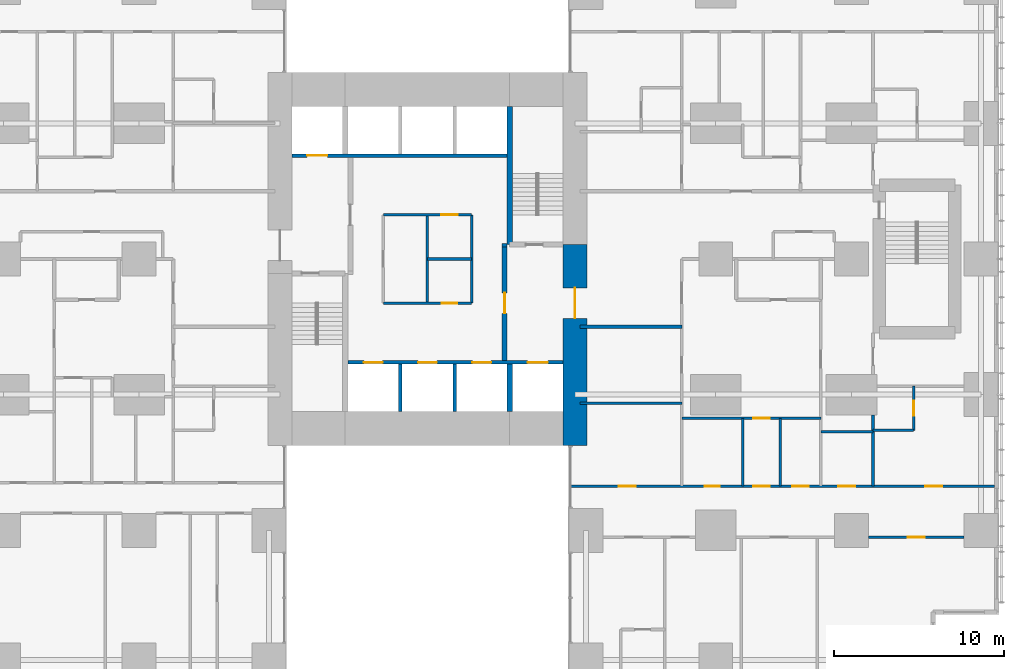
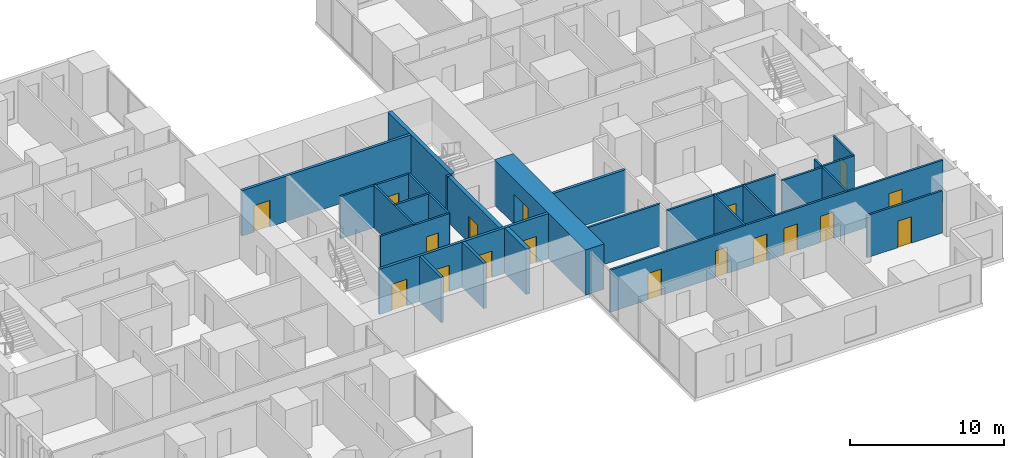
# One storey, part 15 of 20: 25 walls, 18 doors, 18 openings.
"""IFC4 building model written with IfcOpenShell, lengths in metres."""

from ifc_helpers import new_model, si_unit, direction, frame, frame_2d, origin, place, context, subcontext, project, spatial, rectangle, extrude, material, layer, layer_set, type_object, element, fill, save


model = new_model("IFC4")

# Units and contexts
model_context = context("Model", 3, precision=1e-05, world=origin(), true_north=direction((0.0, 1.0)))
body_context = subcontext(model_context, "Body", "Model", "MODEL_VIEW")
ifc_project = project(units=[si_unit("LENGTHUNIT", "METRE"), si_unit("AREAUNIT", "SQUARE_METRE"), si_unit("VOLUMEUNIT", "CUBIC_METRE"), si_unit("PLANEANGLEUNIT", "RADIAN"), si_unit("MASSUNIT", "GRAM", prefix="KILO")], contexts=[model_context])

# Site, building, storey
site_placement = place(None, origin())
site = spatial("IfcSite", under=ifc_project, at=site_placement, CompositionType="ELEMENT")
building_placement = place(site_placement, origin())
building = spatial("IfcBuilding", under=site, at=building_placement, Name="Cleftline Residences", CompositionType="ELEMENT")
storey_placement = place(building_placement, frame((0.0, 0.0, 103.39990234375)))
storey = spatial("IfcBuildingStorey", under=building, at=storey_placement, Name="L26", CompositionType="ELEMENT", Elevation=103.39990234375)

# Wall, opening, door
ifc_material_1 = material(Name="Concrete B70", Category="concrete")
ifc_layer_1 = layer(ifc_material_1, 1.39990234375)
ifc_layer_set_1 = layer_set([ifc_layer_1], Name="CORE WALL 1400")
wall_type_1 = type_object("IfcWallType", Name="CORE WALL 1400", PredefinedType="SHEAR", material=ifc_layer_set_1)
wall_1_placement = place(storey_placement, frame((41.699951171875, 13.0, 0.0), z_axis=(0.0, 0.0, 1.0), x_axis=(0.0, 1.0, 0.0)))
wall_1 = element("IfcWall", 1, at=wall_1_placement, inside=storey, type_object=wall_type_1, Name="Core wall E", PredefinedType="SHEAR", context=body_context, shape_type="SweptSolid", body=[
    extrude(rectangle(XDim=11.85009765625, YDim=1.39990234375, at=frame_2d((5.925048828125, 0.0))), origin(), (0.0, 0.0, 1.0), 3.60009765625),
])
opening_1_placement = place(wall_1_placement, frame((7.5, 0.0, 0.0)))
opening_1 = element("IfcOpeningElement", 2, at=opening_1_placement, cuts=wall_1, Name="Opening D7", PredefinedType="OPENING", context=body_context, shape_type="SweptSolid", body=[
    extrude(rectangle(XDim=1.800048828125, YDim=2.39990234375, at=frame_2d((0.89990234375, 1.199951171875))), frame((0.0, 0.7099609375, 0.0), z_axis=(0.0, -1.0, 0.0), x_axis=(1.0, 0.0, 0.0)), (0.0, 0.0, 1.0), 1.419921875),
])
ifc_material_2 = material(Name="Steel", Category="steel")
door_type_1 = type_object("IfcDoorType", Name="WING DOOR 1800X2400", OperationType="DOUBLE_DOOR_DOUBLE_SWING", PredefinedType="DOOR", material=ifc_material_2)
door_1_placement = place(opening_1_placement, origin())
door_1 = element("IfcDoor", 3, at=door_1_placement, inside=storey, type_object=door_type_1, Name="East wing door", OperationType="DOUBLE_DOOR_DOUBLE_SWING", OverallHeight=2.39990234375, OverallWidth=1.800048828125, PredefinedType="DOOR", context=body_context, shape_type="SweptSolid", body=[
    extrude(rectangle(XDim=1.800048828125, YDim=2.39990234375, at=frame_2d((0.89990234375, 1.199951171875))), frame((0.0, 0.02490234375, 0.0), z_axis=(0.0, -1.0, 0.0), x_axis=(1.0, 0.0, 0.0)), (0.0, 0.0, 1.0), 0.050048828125),
])
fill(opening_1, door_1)

# Walls
ifc_material_3 = material(Name="Concrete B70", Category="concrete")
ifc_layer_2 = layer(ifc_material_3, 0.300048828125)
ifc_layer_set_2 = layer_set([ifc_layer_2], Name="CORE WALL 300")
wall_type_2 = type_object("IfcWallType", Name="CORE WALL 300", PredefinedType="SHEAR", material=ifc_layer_set_2)
wall_2_placement = place(storey_placement, frame((37.85009765625, 24.85009765625, 0.0), z_axis=(0.0, 0.0, 1.0), x_axis=(0.0, 1.0, 0.0)))
element("IfcWall", 4, at=wall_2_placement, inside=storey, type_object=wall_type_2, Name="Core wall SB-W", PredefinedType="SHEAR", context=body_context, shape_type="SweptSolid", body=[
    extrude(rectangle(XDim=8.14990234375, YDim=0.300048828125, at=frame_2d((4.074951171875, 0.0))), origin(), (0.0, 0.0, 1.0), 3.60009765625),
])
wall_3_placement = place(storey_placement, frame((37.85009765625, 15.0, 0.0), z_axis=(0.0, 0.0, 1.0), x_axis=(0.0, 1.0, 0.0)))
element("IfcWall", 5, at=wall_3_placement, inside=storey, type_object=wall_type_2, Name="Lift shaft wall", PredefinedType="SHEAR", context=body_context, shape_type="SweptSolid", body=[
    extrude(rectangle(XDim=2.800048828125, YDim=0.300048828125, at=frame_2d((1.39990234375, 0.0))), origin(), (0.0, 0.0, 1.0), 3.60009765625),
])
ifc_material_4 = material(Name="Concrete blockwork, fire rated", Category="masonry")
ifc_layer_3 = layer(ifc_material_4, 0.199951171875)
ifc_layer_set_3 = layer_set([ifc_layer_3], Name="FIRE WALL 200")
wall_type_3 = type_object("IfcWallType", Name="FIRE WALL 200", PredefinedType="PARTITIONING", material=ifc_layer_set_3)
wall_4_placement = place(storey_placement, frame((42.0, 20.0, 0.0), z_axis=(0.0, 0.0, 1.0), x_axis=(1.0, 0.0, 0.0)))
element("IfcWall", 6, at=wall_4_placement, inside=storey, type_object=wall_type_3, Name="Fire separating wall", PredefinedType="PARTITIONING", context=body_context, shape_type="SweptSolid", body=[
    extrude(rectangle(XDim=6.0, YDim=0.199951171875, at=frame_2d((3.0, 0.0))), origin(), (0.0, 0.0, 1.0), 3.35009765625),
])
wall_5_placement = place(storey_placement, frame((37.39990234375, 24.800048828125, 0.0), z_axis=(0.0, 0.0, 1.0), x_axis=(1.0, 0.0, 0.0)))
element("IfcWall", 7, at=wall_5_placement, inside=storey, type_object=wall_type_3, Name="Fire separating wall", PredefinedType="PARTITIONING", context=body_context, shape_type="SweptSolid", body=[
    extrude(rectangle(XDim=0.300048828125, YDim=0.199951171875, at=frame_2d((0.14990234375, 0.0))), origin(), (0.0, 0.0, 1.0), 3.60009765625),
])

# Wall, opening, door
ifc_material_5 = material(Name="Gypsum board on steel studs", Category="steel")
ifc_layer_4 = layer(ifc_material_5, 0.14990234375)
ifc_layer_set_4 = layer_set([ifc_layer_4], Name="PARTITION 150")
wall_type_4 = type_object("IfcWallType", Name="PARTITION 150", PredefinedType="PARTITIONING", material=ifc_layer_set_4)
wall_6_placement = place(storey_placement, frame((59.0, 7.60009765625, 0.0), z_axis=(0.0, 0.0, 1.0), x_axis=(1.0, 0.0, 0.0)))
wall_6 = element("IfcWall", 8, at=wall_6_placement, inside=storey, type_object=wall_type_4, Name="Partition", PredefinedType="PARTITIONING", context=body_context, shape_type="SweptSolid", body=[
    extrude(rectangle(XDim=5.64990234375, YDim=0.14990234375, at=frame_2d((2.824951171875, 0.0))), origin(), (0.0, 0.0, 1.0), 3.35009765625),
])
opening_2_placement = place(wall_6_placement, frame((2.324951171875, 0.0, 0.0)))
opening_2 = element("IfcOpeningElement", 9, at=opening_2_placement, cuts=wall_6, Name="Opening D2", PredefinedType="OPENING", context=body_context, shape_type="SweptSolid", body=[
    extrude(rectangle(XDim=1.0, YDim=2.10009765625, at=frame_2d((0.5, 1.050048828125))), frame((0.0, 0.0849609375, 0.0), z_axis=(0.0, -1.0, 0.0), x_axis=(1.0, 0.0, 0.0)), (0.0, 0.0, 1.0), 0.169921875),
])
ifc_material_6 = material(Name="Timber veneer on solid core", Category="wood")
door_type_2 = type_object("IfcDoorType", Name="DOOR 1000X2100", OperationType="SINGLE_SWING_LEFT", PredefinedType="DOOR", material=ifc_material_6)
door_2_placement = place(opening_2_placement, origin())
door_2 = element("IfcDoor", 10, at=door_2_placement, inside=storey, type_object=door_type_2, Name="Door to sea-view lounge", OperationType="SINGLE_SWING_LEFT", OverallHeight=2.10009765625, OverallWidth=1.0, PredefinedType="DOOR", context=body_context, shape_type="SweptSolid", body=[
    extrude(rectangle(XDim=1.0, YDim=2.10009765625, at=frame_2d((0.5, 1.050048828125))), frame((0.0, 0.02490234375, 0.0), z_axis=(0.0, -1.0, 0.0), x_axis=(1.0, 0.0, 0.0)), (0.0, 0.0, 1.0), 0.050048828125),
])
fill(opening_2, door_2)

# Wall, openings, doors
wall_7_placement = place(storey_placement, frame((41.43896484375, 10.60009765625, 0.0), z_axis=(0.0, 0.0, 1.0), x_axis=(1.0, 0.0, 0.0)))
wall_7 = element("IfcWall", 11, at=wall_7_placement, inside=storey, type_object=wall_type_4, Name="Partition", PredefinedType="PARTITIONING", context=body_context, shape_type="SweptSolid", body=[
    extrude(rectangle(XDim=25.010986328125, YDim=0.14990234375, at=frame_2d((12.50537109375, 0.0))), origin(), (0.0, 0.0, 1.0), 3.35009765625),
])
opening_3_placement = place(wall_7_placement, frame((10.760986328125, 0.0, 0.0)))
opening_3 = element("IfcOpeningElement", 12, at=opening_3_placement, cuts=wall_7, Name="Opening D2", PredefinedType="OPENING", context=body_context, shape_type="SweptSolid", body=[
    extrude(rectangle(XDim=1.0, YDim=2.10009765625, at=frame_2d((0.5, 1.050048828125))), frame((0.0, 0.0849609375, 0.0), z_axis=(0.0, -1.0, 0.0), x_axis=(1.0, 0.0, 0.0)), (0.0, 0.0, 1.0), 0.169921875),
])
opening_4_placement = place(wall_7_placement, frame((20.923583984375, 0.0, 0.0)))
opening_4 = element("IfcOpeningElement", 13, at=opening_4_placement, cuts=wall_7, Name="Opening D2", PredefinedType="OPENING", context=body_context, shape_type="SweptSolid", body=[
    extrude(rectangle(XDim=1.0, YDim=2.10009765625, at=frame_2d((0.5, 1.050048828125))), frame((0.0, 0.0849609375, 0.0), z_axis=(0.0, -1.0, 0.0), x_axis=(1.0, 0.0, 0.0)), (0.0, 0.0, 1.0), 0.169921875),
])
opening_5_placement = place(wall_7_placement, frame((15.798583984375, 0.0, 0.0)))
opening_5 = element("IfcOpeningElement", 14, at=opening_5_placement, cuts=wall_7, Name="Opening D2", PredefinedType="OPENING", context=body_context, shape_type="SweptSolid", body=[
    extrude(rectangle(XDim=1.0, YDim=2.10009765625, at=frame_2d((0.5, 1.050048828125))), frame((0.0, 0.0849609375, 0.0), z_axis=(0.0, -1.0, 0.0), x_axis=(1.0, 0.0, 0.0)), (0.0, 0.0, 1.0), 0.169921875),
])
opening_6_placement = place(wall_7_placement, frame((13.06103515625, 0.0, 0.0)))
opening_6 = element("IfcOpeningElement", 15, at=opening_6_placement, cuts=wall_7, Name="Opening D2", PredefinedType="OPENING", context=body_context, shape_type="SweptSolid", body=[
    extrude(rectangle(XDim=1.0, YDim=2.10009765625, at=frame_2d((0.5, 1.050048828125))), frame((0.0, 0.0849609375, 0.0), z_axis=(0.0, -1.0, 0.0), x_axis=(1.0, 0.0, 0.0)), (0.0, 0.0, 1.0), 0.169921875),
])
opening_7_placement = place(wall_7_placement, frame((7.910888671875, 0.0, 0.0)))
opening_7 = element("IfcOpeningElement", 16, at=opening_7_placement, cuts=wall_7, Name="Opening D1", PredefinedType="OPENING", context=body_context, shape_type="SweptSolid", body=[
    extrude(rectangle(XDim=0.89990234375, YDim=2.10009765625, at=frame_2d((0.449951171875, 1.050048828125))), frame((0.0, 0.0849609375, 0.0), z_axis=(0.0, -1.0, 0.0), x_axis=(1.0, 0.0, 0.0)), (0.0, 0.0, 1.0), 0.169921875),
])
opening_8_placement = place(wall_7_placement, frame((2.8359375, 0.0, 0.0)))
opening_8 = element("IfcOpeningElement", 17, at=opening_8_placement, cuts=wall_7, Name="Opening D2", PredefinedType="OPENING", context=body_context, shape_type="SweptSolid", body=[
    extrude(rectangle(XDim=1.0, YDim=2.10009765625, at=frame_2d((0.5, 1.050048828125))), frame((0.0, 0.0849609375, 0.0), z_axis=(0.0, -1.0, 0.0), x_axis=(1.0, 0.0, 0.0)), (0.0, 0.0, 1.0), 0.169921875),
])
door_3_placement = place(opening_3_placement, origin())
door_3 = element("IfcDoor", 18, at=door_3_placement, inside=storey, type_object=door_type_2, Name="Door to residence hall", OperationType="SINGLE_SWING_RIGHT", OverallHeight=2.10009765625, OverallWidth=1.0, PredefinedType="DOOR", context=body_context, shape_type="SweptSolid", body=[
    extrude(rectangle(XDim=1.0, YDim=2.10009765625, at=frame_2d((0.5, 1.050048828125))), frame((0.0, 0.02490234375, 0.0), z_axis=(0.0, -1.0, 0.0), x_axis=(1.0, 0.0, 0.0)), (0.0, 0.0, 1.0), 0.050048828125),
])
fill(opening_3, door_3)
door_4_placement = place(opening_4_placement, origin())
door_4 = element("IfcDoor", 19, at=door_4_placement, inside=storey, type_object=door_type_2, Name="Door to master bedroom", OperationType="SINGLE_SWING_LEFT", OverallHeight=2.10009765625, OverallWidth=1.0, PredefinedType="DOOR", context=body_context, shape_type="SweptSolid", body=[
    extrude(rectangle(XDim=1.0, YDim=2.10009765625, at=frame_2d((0.5, 1.050048828125))), frame((0.0, 0.02490234375, 0.0), z_axis=(0.0, -1.0, 0.0), x_axis=(1.0, 0.0, 0.0)), (0.0, 0.0, 1.0), 0.050048828125),
])
fill(opening_4, door_4)
door_5_placement = place(opening_5_placement, origin())
door_5 = element("IfcDoor", 20, at=door_5_placement, inside=storey, type_object=door_type_2, Name="Door to wet kitchen", OperationType="SINGLE_SWING_LEFT", OverallHeight=2.10009765625, OverallWidth=1.0, PredefinedType="DOOR", context=body_context, shape_type="SweptSolid", body=[
    extrude(rectangle(XDim=1.0, YDim=2.10009765625, at=frame_2d((0.5, 1.050048828125))), frame((0.0, 0.02490234375, 0.0), z_axis=(0.0, -1.0, 0.0), x_axis=(1.0, 0.0, 0.0)), (0.0, 0.0, 1.0), 0.050048828125),
])
fill(opening_5, door_5)
door_6_placement = place(opening_6_placement, origin())
door_6 = element("IfcDoor", 21, at=door_6_placement, inside=storey, type_object=door_type_2, Name="Door to media room", OperationType="SINGLE_SWING_LEFT", OverallHeight=2.10009765625, OverallWidth=1.0, PredefinedType="DOOR", context=body_context, shape_type="SweptSolid", body=[
    extrude(rectangle(XDim=1.0, YDim=2.10009765625, at=frame_2d((0.5, 1.050048828125))), frame((0.0, 0.02490234375, 0.0), z_axis=(0.0, -1.0, 0.0), x_axis=(1.0, 0.0, 0.0)), (0.0, 0.0, 1.0), 0.050048828125),
])
fill(opening_6, door_6)
door_7_placement = place(opening_8_placement, origin())
door_7 = element("IfcDoor", 22, at=door_7_placement, inside=storey, type_object=door_type_2, Name="Door to study", OperationType="SINGLE_SWING_RIGHT", OverallHeight=2.10009765625, OverallWidth=1.0, PredefinedType="DOOR", context=body_context, shape_type="SweptSolid", body=[
    extrude(rectangle(XDim=1.0, YDim=2.10009765625, at=frame_2d((0.5, 1.050048828125))), frame((0.0, 0.02490234375, 0.0), z_axis=(0.0, -1.0, 0.0), x_axis=(1.0, 0.0, 0.0)), (0.0, 0.0, 1.0), 0.050048828125),
])
fill(opening_8, door_7)
ifc_material_7 = material(Name="Timber veneer on solid core", Category="wood")
door_type_3 = type_object("IfcDoorType", Name="DOOR 900X2100", OperationType="SINGLE_SWING_LEFT", PredefinedType="DOOR", material=ifc_material_7)
door_8_placement = place(opening_7_placement, origin())
door_8 = element("IfcDoor", 23, at=door_8_placement, inside=storey, type_object=door_type_3, Name="Door to bedroom 2 bathroom", OperationType="SINGLE_SWING_RIGHT", OverallHeight=2.10009765625, OverallWidth=0.89990234375, PredefinedType="DOOR", context=body_context, shape_type="SweptSolid", body=[
    extrude(rectangle(XDim=0.89990234375, YDim=2.10009765625, at=frame_2d((0.449951171875, 1.050048828125))), frame((0.0, 0.02490234375, 0.0), z_axis=(0.0, -1.0, 0.0), x_axis=(1.0, 0.0, 0.0)), (0.0, 0.0, 1.0), 0.050048828125),
])
fill(opening_7, door_8)

# Walls
wall_8_placement = place(storey_placement, frame((56.199951171875, 13.800048828125, 0.0), z_axis=(0.0, 0.0, 1.0), x_axis=(1.0, 0.0, 0.0)))
element("IfcWall", 24, at=wall_8_placement, inside=storey, type_object=wall_type_4, Name="Partition", PredefinedType="PARTITIONING", context=body_context, shape_type="SweptSolid", body=[
    extrude(rectangle(XDim=3.074951171875, YDim=0.14990234375, at=frame_2d((1.53759765625, 0.0))), origin(), (0.0, 0.0, 1.0), 3.35009765625),
])
wall_9_placement = place(storey_placement, frame((59.27490234375, 13.89990234375, 0.0), z_axis=(0.0, 0.0, 1.0), x_axis=(1.0, 0.0, 0.0)))
element("IfcWall", 25, at=wall_9_placement, inside=storey, type_object=wall_type_4, Name="Partition", PredefinedType="PARTITIONING", context=body_context, shape_type="SweptSolid", body=[
    extrude(rectangle(XDim=2.400146484375, YDim=0.14990234375, at=frame_2d((1.2001953125, 0.0))), origin(), (0.0, 0.0, 1.0), 3.35009765625),
])

# Wall, opening, door
wall_10_placement = place(storey_placement, frame((48.0, 14.60009765625, 0.0), z_axis=(0.0, 0.0, 1.0), x_axis=(1.0, 0.0, 0.0)))
wall_10 = element("IfcWall", 26, at=wall_10_placement, inside=storey, type_object=wall_type_4, Name="Partition", PredefinedType="PARTITIONING", context=body_context, shape_type="SweptSolid", body=[
    extrude(rectangle(XDim=8.199951171875, YDim=0.14990234375, at=frame_2d((4.10009765625, 0.0))), origin(), (0.0, 0.0, 1.0), 3.35009765625),
])
opening_9_placement = place(wall_10_placement, frame((4.199951171875, 0.0, 0.0)))
opening_9 = element("IfcOpeningElement", 27, at=opening_9_placement, cuts=wall_10, Name="Opening D2", PredefinedType="OPENING", context=body_context, shape_type="SweptSolid", body=[
    extrude(rectangle(XDim=1.0, YDim=2.10009765625, at=frame_2d((0.5, 1.050048828125))), frame((0.0, 0.0849609375, 0.0), z_axis=(0.0, -1.0, 0.0), x_axis=(1.0, 0.0, 0.0)), (0.0, 0.0, 1.0), 0.169921875),
])
door_9_placement = place(opening_9_placement, origin())
door_9 = element("IfcDoor", 28, at=door_9_placement, inside=storey, type_object=door_type_2, Name="Door to residence passage", OperationType="SINGLE_SWING_LEFT", OverallHeight=2.10009765625, OverallWidth=1.0, PredefinedType="DOOR", context=body_context, shape_type="SweptSolid", body=[
    extrude(rectangle(XDim=1.0, YDim=2.10009765625, at=frame_2d((0.5, 1.050048828125))), frame((0.0, 0.02490234375, 0.0), z_axis=(0.0, -1.0, 0.0), x_axis=(1.0, 0.0, 0.0)), (0.0, 0.0, 1.0), 0.050048828125),
])
fill(opening_9, door_9)

# Walls
wall_11_placement = place(storey_placement, frame((42.0, 15.5, 0.0), z_axis=(0.0, 0.0, 1.0), x_axis=(1.0, 0.0, 0.0)))
element("IfcWall", 29, at=wall_11_placement, inside=storey, type_object=wall_type_4, Name="Partition", PredefinedType="PARTITIONING", context=body_context, shape_type="SweptSolid", body=[
    extrude(rectangle(XDim=6.0, YDim=0.14990234375, at=frame_2d((3.0, 0.0))), origin(), (0.0, 0.0, 1.0), 3.35009765625),
])
for number, where, z_axis, x_axis, name in (
    (30, (51.60009765625, 10.60009765625, 0.0), (0.0, 0.0, 1.0), (0.0, 1.0, 0.0), "Partition"),
    (31, (53.800048828125, 10.60009765625, 0.0), (0.0, 0.0, 1.0), (0.0, 1.0, 0.0), "Partition"),
):
    element("IfcWall", number, at=place(storey_placement, frame(where, z_axis=z_axis, x_axis=x_axis)), inside=storey, type_object=wall_type_4, Name=name, PredefinedType="PARTITIONING", context=body_context, shape_type="SweptSolid", body=[
        extrude(rectangle(XDim=4.0, YDim=0.14990234375, at=frame_2d((2.0, 0.0))), origin(), (0.0, 0.0, 1.0), 3.35009765625),
    ])
wall_12_placement = place(storey_placement, frame((59.27490234375, 10.60009765625, 0.0), z_axis=(0.0, 0.0, 1.0), x_axis=(0.0, 1.0, 0.0)))
element("IfcWall", 32, at=wall_12_placement, inside=storey, type_object=wall_type_4, Name="Partition", PredefinedType="PARTITIONING", context=body_context, shape_type="SweptSolid", body=[
    extrude(rectangle(XDim=4.199951171875, YDim=0.14990234375, at=frame_2d((2.10009765625, 0.0))), origin(), (0.0, 0.0, 1.0), 3.35009765625),
])

# Wall, opening, door
wall_13_placement = place(storey_placement, frame((61.675048828125, 13.89990234375, 0.0), z_axis=(0.0, 0.0, 1.0), x_axis=(0.0, 1.0, 0.0)))
wall_13 = element("IfcWall", 33, at=wall_13_placement, inside=storey, type_object=wall_type_4, Name="Partition", PredefinedType="PARTITIONING", context=body_context, shape_type="SweptSolid", body=[
    extrude(rectangle(XDim=2.60009765625, YDim=0.14990234375, at=frame_2d((1.300048828125, 0.0))), origin(), (0.0, 0.0, 1.0), 3.35009765625),
])
opening_10_placement = place(wall_13_placement, frame((0.85009765625, 0.0, 0.0)))
opening_10 = element("IfcOpeningElement", 34, at=opening_10_placement, cuts=wall_13, Name="Opening D1", PredefinedType="OPENING", context=body_context, shape_type="SweptSolid", body=[
    extrude(rectangle(XDim=0.89990234375, YDim=2.10009765625, at=frame_2d((0.449951171875, 1.050048828125))), frame((0.0, 0.0849609375, 0.0), z_axis=(0.0, -1.0, 0.0), x_axis=(1.0, 0.0, 0.0)), (0.0, 0.0, 1.0), 0.169921875),
])
door_10_placement = place(opening_10_placement, origin())
door_10 = element("IfcDoor", 35, at=door_10_placement, inside=storey, type_object=door_type_3, Name="Door to master bathroom", OperationType="SINGLE_SWING_LEFT", OverallHeight=2.10009765625, OverallWidth=0.89990234375, PredefinedType="DOOR", context=body_context, shape_type="SweptSolid", body=[
    extrude(rectangle(XDim=0.89990234375, YDim=2.10009765625, at=frame_2d((0.449951171875, 1.050048828125))), frame((0.0, 0.02490234375, 0.0), z_axis=(0.0, -1.0, 0.0), x_axis=(1.0, 0.0, 0.0)), (0.0, 0.0, 1.0), 0.050048828125),
])
fill(opening_10, door_10)

ifc_material_8 = material(Name="Fire-resisting gypsum board on steel studs", Category="steel")
ifc_layer_5 = layer(ifc_material_8, 0.14990234375)
ifc_layer_set_5 = layer_set([ifc_layer_5], Name="PARTITION 150 EI 60")
wall_type_5 = type_object("IfcWallType", Name="PARTITION 150 EI 60", PredefinedType="PARTITIONING", material=ifc_layer_set_5)
wall_14_placement = place(storey_placement, frame((30.39990234375, 21.39990234375, 0.0), z_axis=(0.0, 0.0, 1.0), x_axis=(1.0, 0.0, 0.0)))
wall_14 = element("IfcWall", 36, at=wall_14_placement, inside=storey, type_object=wall_type_5, Name="Core room partition", PredefinedType="PARTITIONING", context=body_context, shape_type="SweptSolid", body=[
    extrude(rectangle(XDim=5.2001953125, YDim=0.14990234375, at=frame_2d((2.60009765625, 0.0))), origin(), (0.0, 0.0, 1.0), 3.35009765625),
])
opening_11_placement = place(wall_14_placement, frame((3.449951171875, 0.0, 0.0)))
opening_11 = element("IfcOpeningElement", 37, at=opening_11_placement, cuts=wall_14, Name="Opening D1F30", PredefinedType="OPENING", context=body_context, shape_type="SweptSolid", body=[
    extrude(rectangle(XDim=0.89990234375, YDim=2.10009765625, at=frame_2d((0.449951171875, 1.050048828125))), frame((0.0, 0.0849609375, 0.0), z_axis=(0.0, -1.0, 0.0), x_axis=(1.0, 0.0, 0.0)), (0.0, 0.0, 1.0), 0.169921875),
])
ifc_material_9 = material(Name="Timber veneer on solid core", Category="wood")
door_type_4 = type_object("IfcDoorType", Name="DOOR 900X2100 EI 30", OperationType="SINGLE_SWING_LEFT", PredefinedType="DOOR", material=ifc_material_9)
door_11_placement = place(opening_11_placement, origin())
door_11 = element("IfcDoor", 38, at=door_11_placement, inside=storey, type_object=door_type_4, Name="Door to guest pantry", OperationType="SINGLE_SWING_LEFT", OverallHeight=2.10009765625, OverallWidth=0.89990234375, PredefinedType="DOOR", context=body_context, shape_type="SweptSolid", body=[
    extrude(rectangle(XDim=0.89990234375, YDim=2.10009765625, at=frame_2d((0.449951171875, 1.050048828125))), frame((0.0, 0.02490234375, 0.0), z_axis=(0.0, -1.0, 0.0), x_axis=(1.0, 0.0, 0.0)), (0.0, 0.0, 1.0), 0.050048828125),
])
fill(opening_11, door_11)

wall_15_placement = place(storey_placement, frame((30.39990234375, 26.60009765625, 0.0), z_axis=(0.0, 0.0, 1.0), x_axis=(1.0, 0.0, 0.0)))
wall_15 = element("IfcWall", 39, at=wall_15_placement, inside=storey, type_object=wall_type_5, Name="Core room partition", PredefinedType="PARTITIONING", context=body_context, shape_type="SweptSolid", body=[
    extrude(rectangle(XDim=5.2001953125, YDim=0.14990234375, at=frame_2d((2.60009765625, 0.0))), origin(), (0.0, 0.0, 1.0), 3.35009765625),
])
opening_12_placement = place(wall_15_placement, frame((3.39990234375, 0.0, 0.0)))
opening_12 = element("IfcOpeningElement", 40, at=opening_12_placement, cuts=wall_15, Name="Opening D2F60", PredefinedType="OPENING", context=body_context, shape_type="SweptSolid", body=[
    extrude(rectangle(XDim=1.0, YDim=2.10009765625, at=frame_2d((0.5, 1.050048828125))), frame((0.0, 0.0849609375, 0.0), z_axis=(0.0, -1.0, 0.0), x_axis=(1.0, 0.0, 0.0)), (0.0, 0.0, 1.0), 0.169921875),
])
ifc_material_10 = material(Name="Timber veneer on solid core", Category="wood")
door_type_5 = type_object("IfcDoorType", Name="DOOR 1000X2100 EI 60", OperationType="SINGLE_SWING_LEFT", PredefinedType="DOOR", material=ifc_material_10)
door_12_placement = place(opening_12_placement, origin())
door_12 = element("IfcDoor", 41, at=door_12_placement, inside=storey, type_object=door_type_5, Name="Door to communications room", OperationType="SINGLE_SWING_LEFT", OverallHeight=2.10009765625, OverallWidth=1.0, PredefinedType="DOOR", context=body_context, shape_type="SweptSolid", body=[
    extrude(rectangle(XDim=1.0, YDim=2.10009765625, at=frame_2d((0.5, 1.050048828125))), frame((0.0, 0.02490234375, 0.0), z_axis=(0.0, -1.0, 0.0), x_axis=(1.0, 0.0, 0.0)), (0.0, 0.0, 1.0), 0.050048828125),
])
fill(opening_12, door_12)

# Walls
wall_16_placement = place(storey_placement, frame((35.60009765625, 21.39990234375, 0.0), z_axis=(0.0, 0.0, 1.0), x_axis=(0.0, 1.0, 0.0)))
element("IfcWall", 42, at=wall_16_placement, inside=storey, type_object=wall_type_5, Name="Core room partition", PredefinedType="PARTITIONING", context=body_context, shape_type="SweptSolid", body=[
    extrude(rectangle(XDim=5.2001953125, YDim=0.14990234375, at=frame_2d((2.60009765625, 0.0))), origin(), (0.0, 0.0, 1.0), 3.35009765625),
])
wall_17_placement = place(storey_placement, frame((33.0, 24.0, 0.0), z_axis=(0.0, 0.0, 1.0), x_axis=(1.0, 0.0, 0.0)))
element("IfcWall", 43, at=wall_17_placement, inside=storey, type_object=wall_type_5, Name="Core room partition", PredefinedType="PARTITIONING", context=body_context, shape_type="SweptSolid", body=[
    extrude(rectangle(XDim=2.60009765625, YDim=0.14990234375, at=frame_2d((1.300048828125, 0.0))), origin(), (0.0, 0.0, 1.0), 3.35009765625),
])
wall_18_placement = place(storey_placement, frame((33.0, 21.39990234375, 0.0), z_axis=(0.0, 0.0, 1.0), x_axis=(0.0, 1.0, 0.0)))
element("IfcWall", 44, at=wall_18_placement, inside=storey, type_object=wall_type_5, Name="Core room partition", PredefinedType="PARTITIONING", context=body_context, shape_type="SweptSolid", body=[
    extrude(rectangle(XDim=5.2001953125, YDim=0.14990234375, at=frame_2d((2.60009765625, 0.0))), origin(), (0.0, 0.0, 1.0), 3.35009765625),
])

# Wall, openings, doors
ifc_material_11 = material(Name="Concrete blockwork, fire rated", Category="masonry")
ifc_layer_6 = layer(ifc_material_11, 0.199951171875)
ifc_layer_set_6 = layer_set([ifc_layer_6], Name="SHAFT WALL 200")
wall_type_6 = type_object("IfcWallType", Name="SHAFT WALL 200", PredefinedType="PARTITIONING", material=ifc_layer_set_6)
wall_19_placement = place(storey_placement, frame((28.300048828125, 17.89990234375, 0.0), z_axis=(0.0, 0.0, 1.0), x_axis=(1.0, 0.0, 0.0)))
wall_19 = element("IfcWall", 45, at=wall_19_placement, inside=storey, type_object=wall_type_6, Name="Lift shaft wall", PredefinedType="PARTITIONING", context=body_context, shape_type="SweptSolid", body=[
    extrude(rectangle(XDim=12.699951171875, YDim=0.199951171875, at=frame_2d((6.35009765625, 0.0))), origin(), (0.0, 0.0, 1.0), 3.60009765625),
])
opening_13_placement = place(wall_19_placement, frame((0.949951171875, 0.0, 0.0)))
opening_13 = element("IfcOpeningElement", 46, at=opening_13_placement, cuts=wall_19, Name="Opening LD1", PredefinedType="OPENING", context=body_context, shape_type="SweptSolid", body=[
    extrude(rectangle(XDim=1.10009765625, YDim=2.10009765625, at=frame_2d((0.550048828125, 1.050048828125))), frame((0.0, 0.10986328125, 0.0), z_axis=(0.0, -1.0, 0.0), x_axis=(1.0, 0.0, 0.0)), (0.0, 0.0, 1.0), 0.219970703125),
])
opening_14_placement = place(wall_19_placement, frame((4.14990234375, 0.0, 0.0)))
opening_14 = element("IfcOpeningElement", 47, at=opening_14_placement, cuts=wall_19, Name="Opening LD1", PredefinedType="OPENING", context=body_context, shape_type="SweptSolid", body=[
    extrude(rectangle(XDim=1.10009765625, YDim=2.10009765625, at=frame_2d((0.550048828125, 1.050048828125))), frame((0.0, 0.10986328125, 0.0), z_axis=(0.0, -1.0, 0.0), x_axis=(1.0, 0.0, 0.0)), (0.0, 0.0, 1.0), 0.219970703125),
])
opening_15_placement = place(wall_19_placement, frame((7.35009765625, 0.0, 0.0)))
opening_15 = element("IfcOpeningElement", 48, at=opening_15_placement, cuts=wall_19, Name="Opening LD1", PredefinedType="OPENING", context=body_context, shape_type="SweptSolid", body=[
    extrude(rectangle(XDim=1.10009765625, YDim=2.10009765625, at=frame_2d((0.550048828125, 1.050048828125))), frame((0.0, 0.10986328125, 0.0), z_axis=(0.0, -1.0, 0.0), x_axis=(1.0, 0.0, 0.0)), (0.0, 0.0, 1.0), 0.219970703125),
])
opening_16_placement = place(wall_19_placement, frame((10.60009765625, 0.0, 0.0)))
opening_16 = element("IfcOpeningElement", 49, at=opening_16_placement, cuts=wall_19, Name="Opening LD2", PredefinedType="OPENING", context=body_context, shape_type="SweptSolid", body=[
    extrude(rectangle(XDim=1.199951171875, YDim=2.10009765625, at=frame_2d((0.60009765625, 1.050048828125))), frame((0.0, 0.10986328125, 0.0), z_axis=(0.0, -1.0, 0.0), x_axis=(1.0, 0.0, 0.0)), (0.0, 0.0, 1.0), 0.219970703125),
])
ifc_material_12 = material(Name="Steel", Category="steel")
door_type_6 = type_object("IfcDoorType", Name="FIREFIGHTING LIFT LANDING DOOR 1200X2100", OperationType="SLIDING_TO_LEFT", PredefinedType="DOOR", material=ifc_material_12)
door_13_placement = place(opening_16_placement, origin())
door_13 = element("IfcDoor", 50, at=door_13_placement, inside=storey, type_object=door_type_6, Name="Lift FL2 landing door", OperationType="SLIDING_TO_LEFT", OverallHeight=2.10009765625, OverallWidth=1.199951171875, PredefinedType="DOOR", context=body_context, shape_type="SweptSolid", body=[
    extrude(rectangle(XDim=1.199951171875, YDim=2.10009765625, at=frame_2d((0.60009765625, 1.050048828125))), frame((0.0, 0.02490234375, 0.0), z_axis=(0.0, -1.0, 0.0), x_axis=(1.0, 0.0, 0.0)), (0.0, 0.0, 1.0), 0.050048828125),
])
fill(opening_16, door_13)
ifc_material_13 = material(Name="Steel", Category="steel")
door_type_7 = type_object("IfcDoorType", Name="LIFT LANDING DOOR 1100X2100", OperationType="SLIDING_TO_LEFT", PredefinedType="DOOR", material=ifc_material_13)
door_14_placement = place(opening_13_placement, origin())
door_14 = element("IfcDoor", 51, at=door_14_placement, inside=storey, type_object=door_type_7, Name="Lift P1 landing door", OperationType="SLIDING_TO_LEFT", OverallHeight=2.10009765625, OverallWidth=1.10009765625, PredefinedType="DOOR", context=body_context, shape_type="SweptSolid", body=[
    extrude(rectangle(XDim=1.10009765625, YDim=2.10009765625, at=frame_2d((0.550048828125, 1.050048828125))), frame((0.0, 0.02490234375, 0.0), z_axis=(0.0, -1.0, 0.0), x_axis=(1.0, 0.0, 0.0)), (0.0, 0.0, 1.0), 0.050048828125),
])
fill(opening_13, door_14)
door_15_placement = place(opening_14_placement, origin())
door_15 = element("IfcDoor", 52, at=door_15_placement, inside=storey, type_object=door_type_7, Name="Lift P2 landing door", OperationType="SLIDING_TO_LEFT", OverallHeight=2.10009765625, OverallWidth=1.10009765625, PredefinedType="DOOR", context=body_context, shape_type="SweptSolid", body=[
    extrude(rectangle(XDim=1.10009765625, YDim=2.10009765625, at=frame_2d((0.550048828125, 1.050048828125))), frame((0.0, 0.02490234375, 0.0), z_axis=(0.0, -1.0, 0.0), x_axis=(1.0, 0.0, 0.0)), (0.0, 0.0, 1.0), 0.050048828125),
])
fill(opening_14, door_15)
door_16_placement = place(opening_15_placement, origin())
door_16 = element("IfcDoor", 53, at=door_16_placement, inside=storey, type_object=door_type_7, Name="Lift P3 landing door", OperationType="SLIDING_TO_LEFT", OverallHeight=2.10009765625, OverallWidth=1.10009765625, PredefinedType="DOOR", context=body_context, shape_type="SweptSolid", body=[
    extrude(rectangle(XDim=1.10009765625, YDim=2.10009765625, at=frame_2d((0.550048828125, 1.050048828125))), frame((0.0, 0.02490234375, 0.0), z_axis=(0.0, -1.0, 0.0), x_axis=(1.0, 0.0, 0.0)), (0.0, 0.0, 1.0), 0.050048828125),
])
fill(opening_15, door_16)

# Wall, opening, door
wall_20_placement = place(storey_placement, frame((25.0, 30.10009765625, 0.0), z_axis=(0.0, 0.0, 1.0), x_axis=(1.0, 0.0, 0.0)))
wall_20 = element("IfcWall", 54, at=wall_20_placement, inside=storey, type_object=wall_type_6, Name="Lift shaft wall", PredefinedType="PARTITIONING", context=body_context, shape_type="SweptSolid", body=[
    extrude(rectangle(XDim=12.699951171875, YDim=0.199951171875, at=frame_2d((6.35009765625, 0.0))), origin(), (0.0, 0.0, 1.0), 3.60009765625),
])
opening_17_placement = place(wall_20_placement, frame((0.89990234375, 0.0, 0.0)))
opening_17 = element("IfcOpeningElement", 55, at=opening_17_placement, cuts=wall_20, Name="Opening LD2", PredefinedType="OPENING", context=body_context, shape_type="SweptSolid", body=[
    extrude(rectangle(XDim=1.199951171875, YDim=2.10009765625, at=frame_2d((0.60009765625, 1.050048828125))), frame((0.0, 0.10986328125, 0.0), z_axis=(0.0, -1.0, 0.0), x_axis=(1.0, 0.0, 0.0)), (0.0, 0.0, 1.0), 0.219970703125),
])
door_17_placement = place(opening_17_placement, origin())
door_17 = element("IfcDoor", 56, at=door_17_placement, inside=storey, type_object=door_type_6, Name="Lift FL1 landing door", OperationType="SLIDING_TO_LEFT", OverallHeight=2.10009765625, OverallWidth=1.199951171875, PredefinedType="DOOR", context=body_context, shape_type="SweptSolid", body=[
    extrude(rectangle(XDim=1.199951171875, YDim=2.10009765625, at=frame_2d((0.60009765625, 1.050048828125))), frame((0.0, 0.02490234375, 0.0), z_axis=(0.0, -1.0, 0.0), x_axis=(1.0, 0.0, 0.0)), (0.0, 0.0, 1.0), 0.050048828125),
])
fill(opening_17, door_17)

# Walls
for number, where, z_axis, x_axis, name in (
    (57, (31.39990234375, 15.0, 0.0), (0.0, 0.0, 1.0), (0.0, 1.0, 0.0), "Lift shaft wall"),
    (58, (34.60009765625, 15.0, 0.0), (0.0, 0.0, 1.0), (0.0, 1.0, 0.0), "Lift shaft wall"),
):
    element("IfcWall", number, at=place(storey_placement, frame(where, z_axis=z_axis, x_axis=x_axis)), inside=storey, type_object=wall_type_6, Name=name, PredefinedType="PARTITIONING", context=body_context, shape_type="SweptSolid", body=[
        extrude(rectangle(XDim=2.800048828125, YDim=0.199951171875, at=frame_2d((1.39990234375, 0.0))), origin(), (0.0, 0.0, 1.0), 3.60009765625),
    ])

# Wall, opening, door
ifc_material_14 = material(Name="Concrete blockwork, fire rated", Category="masonry")
ifc_layer_7 = layer(ifc_material_14, 0.300048828125)
ifc_layer_set_7 = layer_set([ifc_layer_7], Name="STAIR LOBBY WALL 300")
wall_type_7 = type_object("IfcWallType", Name="STAIR LOBBY WALL 300", PredefinedType="PARTITIONING", material=ifc_layer_set_7)
wall_21_placement = place(storey_placement, frame((37.550048828125, 18.0, 0.0), z_axis=(0.0, 0.0, 1.0), x_axis=(0.0, 1.0, 0.0)))
wall_21 = element("IfcWall", 59, at=wall_21_placement, inside=storey, type_object=wall_type_7, Name="Stair and lobby wall FB-W", PredefinedType="PARTITIONING", context=body_context, shape_type="SweptSolid", body=[
    extrude(rectangle(XDim=6.699951171875, YDim=0.300048828125, at=frame_2d((3.35009765625, 0.0))), origin(), (0.0, 0.0, 1.0), 3.60009765625),
])
opening_18_placement = place(wall_21_placement, frame((2.800048828125, 0.0, 0.0)))
opening_18 = element("IfcOpeningElement", 60, at=opening_18_placement, cuts=wall_21, Name="Opening D6", PredefinedType="OPENING", context=body_context, shape_type="SweptSolid", body=[
    extrude(rectangle(XDim=1.199951171875, YDim=2.10009765625, at=frame_2d((0.60009765625, 1.050048828125))), frame((0.0, 0.159912109375, 0.0), z_axis=(0.0, -1.0, 0.0), x_axis=(1.0, 0.0, 0.0)), (0.0, 0.0, 1.0), 0.320068359375),
])
ifc_material_15 = material(Name="Steel", Category="steel")
door_type_8 = type_object("IfcDoorType", Name="LOBBY DOOR 1200X2100", OperationType="SINGLE_SWING_RIGHT", PredefinedType="DOOR", material=ifc_material_15)
door_18_placement = place(opening_18_placement, origin())
door_18 = element("IfcDoor", 61, at=door_18_placement, inside=storey, type_object=door_type_8, Name="Firefighting lobby B door", OperationType="SINGLE_SWING_LEFT", OverallHeight=2.10009765625, OverallWidth=1.199951171875, PredefinedType="DOOR", context=body_context, shape_type="SweptSolid", body=[
    extrude(rectangle(XDim=1.199951171875, YDim=2.10009765625, at=frame_2d((0.60009765625, 1.050048828125))), frame((0.0, 0.02490234375, 0.0), z_axis=(0.0, -1.0, 0.0), x_axis=(1.0, 0.0, 0.0)), (0.0, 0.0, 1.0), 0.050048828125),
])
fill(opening_18, door_18)

save(model, "model.ifc")
